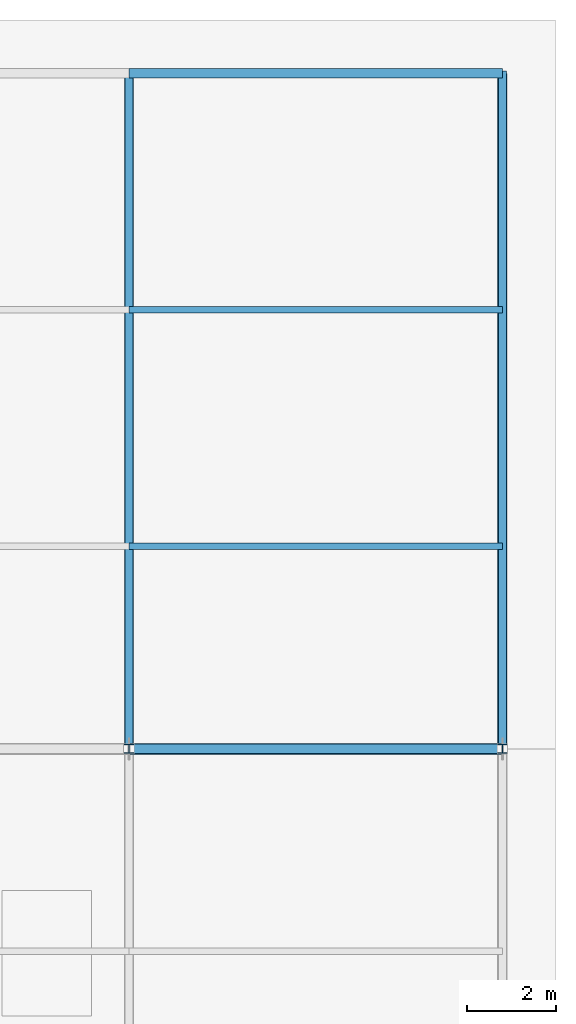
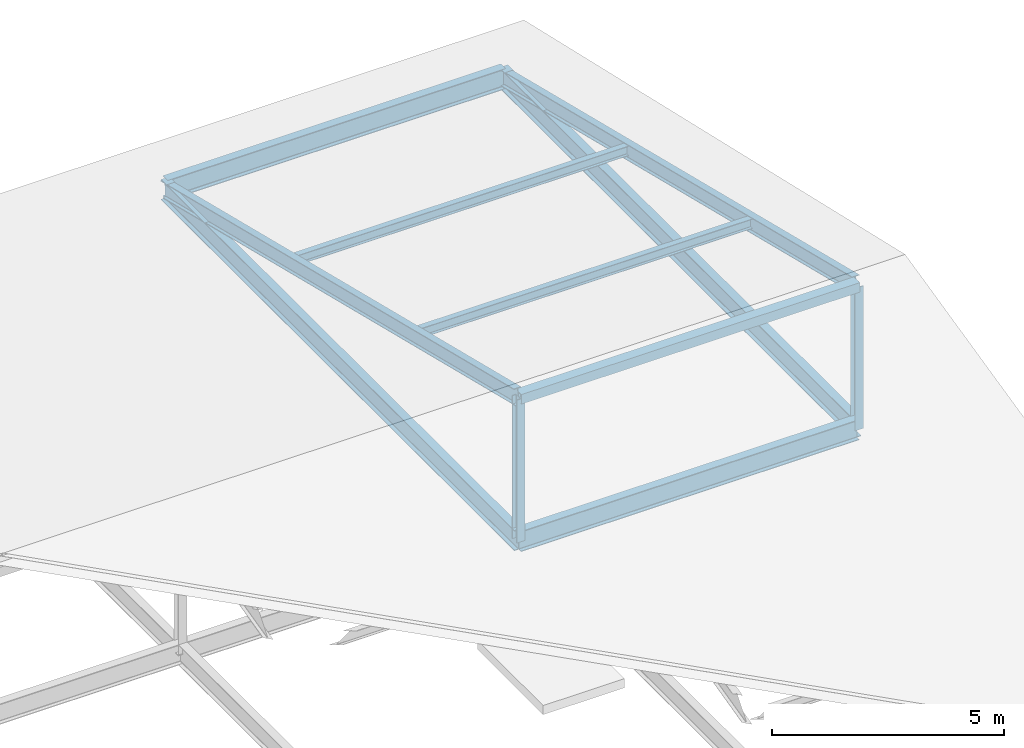
# One storey, part 4 of 8: 7 members, 4 beams.
"""IFC4 building model written with IfcOpenShell, lengths in metres."""

from ifc_helpers import new_model, si_unit, direction, frame, origin, origin_2d, place, context, subcontext, project, spatial, hollow_rectangle, i_section, extrude, material, material_profile, profile_set, type_object, element, save


model = new_model("IFC4")

# Units and contexts
model_context = context("Model", 3, precision=1e-05, world=origin(), true_north=direction((0.0, 1.0)))
body_context = subcontext(model_context, "Body", "Model", "MODEL_VIEW")
ifc_project = project(units=[si_unit("LENGTHUNIT", "METRE"), si_unit("AREAUNIT", "SQUARE_METRE"), si_unit("VOLUMEUNIT", "CUBIC_METRE"), si_unit("PLANEANGLEUNIT", "RADIAN"), si_unit("MASSUNIT", "GRAM", prefix="KILO")], contexts=[model_context])

# Site, building, storey
site_placement = place(None, origin())
site = spatial("IfcSite", under=ifc_project, at=site_placement, CompositionType="ELEMENT")
building_placement = place(site_placement, origin())
building = spatial("IfcBuilding", under=site, at=building_placement, Name="Zuvorla Pavilion Media Centre", CompositionType="ELEMENT")
storey_placement = place(building_placement, frame((0.0, 0.0, 31.199951171875)))
storey = spatial("IfcBuildingStorey", under=building, at=storey_placement, Name="RF", CompositionType="ELEMENT", Elevation=31.199951171875)

# Beams
ifc_material = material(Name="Steel S355", Category="steel")
ifc_material_profile_1 = material_profile(ifc_material, i_section(OverallWidth=0.2099609375, OverallDepth=0.53662109375, WebThickness=0.0107421875, FlangeThickness=0.017333984375, FilletRadius=0.0126953125, at=origin_2d()), Name="UB 533x210x101")
ifc_profile_set_1 = profile_set([ifc_material_profile_1], Name="Steel S355")
beam_type = type_object("IfcBeamType", Name="BM-UB533", PredefinedType="BEAM", material=ifc_profile_set_1)
for number, where, z_axis, x_axis, name in (
    (1, (100.39990234375, 21.199951171875, -0.280029296875), (1.0, 0.0, 0.0), (0.0, 1.0, 0.0), "RF beam B08 1841"),
    (2, (100.39990234375, 36.39990234375, -0.280029296875), (1.0, 0.0, 0.0), (0.0, 1.0, 0.0), "RF beam B08 1846"),
):
    element("IfcBeam", number, at=place(storey_placement, frame(where, z_axis=z_axis, x_axis=x_axis)), inside=storey, type_object=beam_type, Name=name, PredefinedType="BEAM", context=body_context, shape_type="SweptSolid", body=[
        extrude(i_section(OverallWidth=0.2099609375, OverallDepth=0.53662109375, WebThickness=0.0107421875, FlangeThickness=0.017333984375, FilletRadius=0.0126953125, at=origin_2d()), origin(), (0.0, 0.0, 1.0), 8.400146484375),
    ])
for number, where, z_axis, x_axis, name in (
    (3, (100.39990234375, 21.199951171875, -0.280029296875), (0.0, 1.0, 0.0), (-1.0, 0.0, 0.0), "RF beam B08 1856"),
    (4, (108.800048828125, 21.199951171875, -0.280029296875), (0.0, 1.0, 0.0), (-1.0, 0.0, 0.0), "RF beam B08 1858"),
):
    element("IfcBeam", number, at=place(storey_placement, frame(where, z_axis=z_axis, x_axis=x_axis)), inside=storey, type_object=beam_type, Name=name, PredefinedType="BEAM", context=body_context, shape_type="SweptSolid", body=[
        extrude(i_section(OverallWidth=0.2099609375, OverallDepth=0.53662109375, WebThickness=0.0107421875, FlangeThickness=0.017333984375, FilletRadius=0.0126953125, at=origin_2d()), origin(), (0.0, 0.0, 1.0), 15.199951171875),
    ])

# Members
ifc_material_profile_2 = material_profile(ifc_material, hollow_rectangle(XDim=0.25, YDim=0.25, WallThickness=0.012451171875, at=origin_2d()), Name="SHS 250x250x12.5")
ifc_profile_set_2 = profile_set([ifc_material_profile_2], Name="Steel S355")
member_type_1 = type_object("IfcMemberType", Name="MEM-CHD-SHS250", PredefinedType="CHORD", material=ifc_profile_set_2)
member_placement = place(storey_placement, frame((100.39990234375, 21.199951171875, 3.469970703125), z_axis=(1.0, 0.0, 0.0), x_axis=(0.0, 1.0, 0.0)))
element("IfcMember", 5, at=member_placement, inside=storey, type_object=member_type_1, Name="RF chord TC04 836", PredefinedType="CHORD", context=body_context, shape_type="SweptSolid", body=[
    extrude(hollow_rectangle(XDim=0.25, YDim=0.25, WallThickness=0.012451171875, at=origin_2d()), origin(), (0.0, 0.0, 1.0), 8.400146484375),
])
ifc_material_profile_3 = material_profile(ifc_material, i_section(OverallWidth=0.146484375, OverallDepth=0.256103515625, WebThickness=0.00634765625, FlangeThickness=0.010986328125, FilletRadius=0.007568359375, at=origin_2d()), Name="UB 254x146x37")
ifc_profile_set_3 = profile_set([ifc_material_profile_3], Name="Steel S355")
member_type_2 = type_object("IfcMemberType", Name="MEM-PUR-UB254", PredefinedType="PURLIN", material=ifc_profile_set_3)
for number, where, z_axis, x_axis, name in (
    (6, (100.39990234375, 31.080078125, 1.032470703125), (1.0, 0.0, 0.0), (0.0, 1.0, 0.0), "RF purlin PR02 838"),
    (7, (100.39990234375, 25.760009765625, 2.344970703125), (1.0, 0.0, 0.0), (0.0, 1.0, 0.0), "RF purlin PR02 840"),
):
    element("IfcMember", number, at=place(storey_placement, frame(where, z_axis=z_axis, x_axis=x_axis)), inside=storey, type_object=member_type_2, Name=name, PredefinedType="PURLIN", context=body_context, shape_type="SweptSolid", body=[
        extrude(i_section(OverallWidth=0.146484375, OverallDepth=0.256103515625, WebThickness=0.00634765625, FlangeThickness=0.010986328125, FilletRadius=0.007568359375, at=origin_2d()), origin(), (0.0, 0.0, 1.0), 8.400146484375),
    ])
ifc_material_profile_4 = material_profile(ifc_material, i_section(OverallWidth=0.1787109375, OverallDepth=0.409423828125, WebThickness=0.0087890625, FlangeThickness=0.014404296875, FilletRadius=0.01025390625, at=origin_2d()), Name="UB 406x178x67")
ifc_profile_set_4 = profile_set([ifc_material_profile_4], Name="Steel S355")
member_type_3 = type_object("IfcMemberType", Name="MEM-RAF-UB406", PredefinedType="RAFTER", material=ifc_profile_set_4)
for number, where, z_axis, x_axis, name in (
    (8, (100.39990234375, 36.39990234375, -0.280029296875), (0.0, -0.970889126904, 0.239529336951), (1.0, 0.0, 0.0), "RF rafter RF01 812"),
    (9, (108.800048828125, 36.39990234375, -0.280029296875), (0.0, -0.970889126904, 0.239529336951), (1.0, 0.0, 0.0), "RF rafter RF01 815"),
):
    element("IfcMember", number, at=place(storey_placement, frame(where, z_axis=z_axis, x_axis=x_axis)), inside=storey, type_object=member_type_3, Name=name, PredefinedType="RAFTER", context=body_context, shape_type="SweptSolid", body=[
        extrude(i_section(OverallWidth=0.1787109375, OverallDepth=0.409423828125, WebThickness=0.0087890625, FlangeThickness=0.014404296875, FilletRadius=0.01025390625, at=origin_2d()), origin(), (0.0, 0.0, 1.0), 15.65576171875),
    ])
ifc_material_profile_5 = material_profile(ifc_material, i_section(OverallWidth=0.205810546875, OverallDepth=0.209716796875, WebThickness=0.009521484375, FlangeThickness=0.01416015625, FilletRadius=0.01025390625, at=origin_2d()), Name="UC 203x203x60")
ifc_profile_set_5 = profile_set([ifc_material_profile_5], Name="Steel S355")
member_type_4 = type_object("IfcMemberType", Name="MEM-STR-UC203", PredefinedType="STRUT", material=ifc_profile_set_5)
for number, where, z_axis, x_axis, name in (
    (10, (100.39990234375, 21.199951171875, -0.280029296875), (0.0, 0.0, 1.0), (1.0, 0.0, 0.0), "RF vertical strut TS02 810"),
    (11, (108.800048828125, 21.199951171875, -0.280029296875), (0.0, 0.0, 1.0), (1.0, 0.0, 0.0), "RF vertical strut TS02 813"),
):
    element("IfcMember", number, at=place(storey_placement, frame(where, z_axis=z_axis, x_axis=x_axis)), inside=storey, type_object=member_type_4, Name=name, PredefinedType="STRUT", context=body_context, shape_type="SweptSolid", body=[
        extrude(i_section(OverallWidth=0.205810546875, OverallDepth=0.209716796875, WebThickness=0.009521484375, FlangeThickness=0.01416015625, FilletRadius=0.01025390625, at=origin_2d()), origin(), (0.0, 0.0, 1.0), 3.75),
    ])

save(model, "model.ifc")
